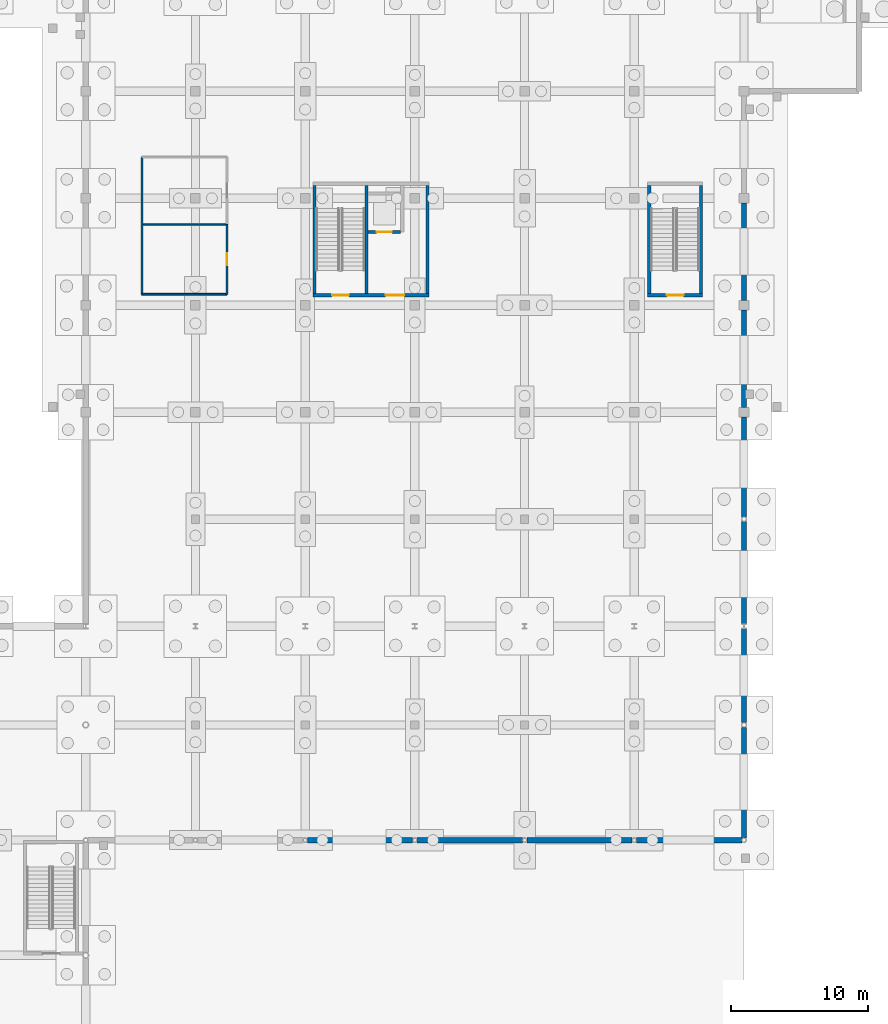
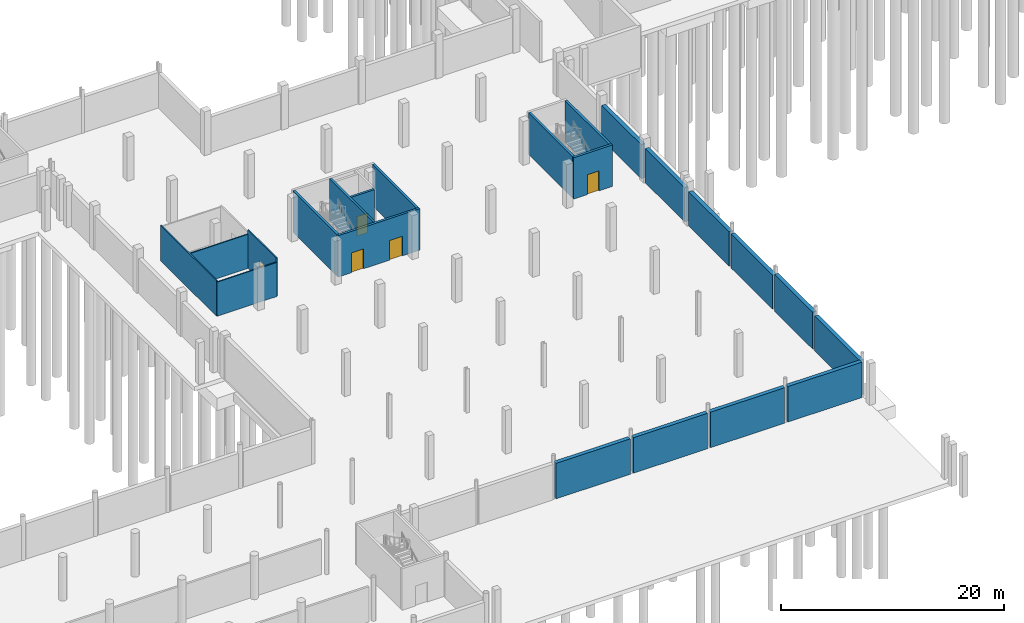
# One storey, part 31 of 44: 22 walls, 5 doors, 5 openings.
"""IFC4 building model written with IfcOpenShell, lengths in metres."""

from ifc_helpers import new_model, si_unit, direction, frame, frame_2d, origin, place, context, subcontext, project, spatial, rectangle, extrude, material, layer, layer_set, type_object, element, fill, save


model = new_model("IFC4")

# Units and contexts
model_context = context("Model", 3, precision=1e-05, world=origin(), true_north=direction((0.0, 1.0)))
body_context = subcontext(model_context, "Body", "Model", "MODEL_VIEW")
ifc_project = project(units=[si_unit("LENGTHUNIT", "METRE"), si_unit("AREAUNIT", "SQUARE_METRE"), si_unit("VOLUMEUNIT", "CUBIC_METRE"), si_unit("PLANEANGLEUNIT", "RADIAN"), si_unit("MASSUNIT", "GRAM", prefix="KILO")], contexts=[model_context])

# Site, building, storey
site_placement = place(None, origin())
site = spatial("IfcSite", under=ifc_project, at=site_placement, CompositionType="ELEMENT")
building_placement = place(site_placement, origin())
building = spatial("IfcBuilding", under=site, at=building_placement, Name="Yukiwa Park Conservatory and Herbarium", CompositionType="ELEMENT")
storey_placement = place(building_placement, frame((0.0, 0.0, -4.800048828125)))
storey = spatial("IfcBuildingStorey", under=building, at=storey_placement, Name="B1", CompositionType="ELEMENT", Elevation=-4.800048828125)

# Walls
ifc_material_1 = material(Name="Concrete C40", Category="concrete")
ifc_layer_1 = layer(ifc_material_1, 0.39990234375)
ifc_layer_set_1 = layer_set([ifc_layer_1], Name="Concrete C40")
wall_type_1 = type_object("IfcWallType", Name="WL-B1-RET400", PredefinedType="SOLIDWALL", material=ifc_layer_set_1)
for number, where, z_axis, x_axis, name in (
    (1, (76.16259765625, 15.60009765625, 0.0), (0.0, 0.0, 1.0), (1.0, 0.0, 0.0), "B1 exterior envelope wall 13"),
    (2, (84.16259765625, 15.60009765625, 0.0), (0.0, 0.0, 1.0), (1.0, 0.0, 0.0), "B1 exterior envelope wall 14"),
    (3, (92.16259765625, 15.60009765625, 0.0), (0.0, 0.0, 1.0), (1.0, 0.0, 0.0), "B1 exterior envelope wall 15"),
    (4, (100.16259765625, 15.60009765625, 0.0), (0.0, 0.0, 1.0), (1.0, 0.0, 0.0), "B1 exterior envelope wall 16"),
):
    element("IfcWall", number, at=place(storey_placement, frame(where, z_axis=z_axis, x_axis=x_axis)), inside=storey, type_object=wall_type_1, Name=name, PredefinedType="SOLIDWALL", context=body_context, shape_type="SweptSolid", body=[
        extrude(rectangle(XDim=7.6748046875, YDim=0.39990234375, at=frame_2d((3.83740234375, 0.0))), origin(), (0.0, 0.0, 1.0), 3.89013671875),
    ])
wall_1_placement = place(storey_placement, frame((108.0, 15.762451171875, 0.0), z_axis=(0.0, 0.0, 1.0), x_axis=(0.0, 1.0, 0.0)))
element("IfcWall", 5, at=wall_1_placement, inside=storey, type_object=wall_type_1, Name="B1 exterior envelope wall 17", PredefinedType="SOLIDWALL", context=body_context, shape_type="SweptSolid", body=[
    extrude(rectangle(XDim=8.059814453125, YDim=0.39990234375, at=frame_2d((4.02978515625, 0.0))), origin(), (0.0, 0.0, 1.0), 3.840087890625),
])
wall_2_placement = place(storey_placement, frame((108.0, 24.177734375, 0.0), z_axis=(0.0, 0.0, 1.0), x_axis=(0.0, 1.0, 0.0)))
element("IfcWall", 6, at=wall_2_placement, inside=storey, type_object=wall_type_1, Name="B1 exterior envelope wall 18", PredefinedType="SOLIDWALL", context=body_context, shape_type="SweptSolid", body=[
    extrude(rectangle(XDim=6.84716796875, YDim=0.39990234375, at=frame_2d((3.423583984375, 0.0))), origin(), (0.0, 0.0, 1.0), 4.0400390625),
])
wall_3_placement = place(storey_placement, frame((108.0, 31.375, 0.0), z_axis=(0.0, 0.0, 1.0), x_axis=(0.0, 1.0, 0.0)))
element("IfcWall", 7, at=wall_3_placement, inside=storey, type_object=wall_type_1, Name="B1 exterior envelope wall 19", PredefinedType="SOLIDWALL", context=body_context, shape_type="SweptSolid", body=[
    extrude(rectangle(XDim=7.447265625, YDim=0.39990234375, at=frame_2d((3.7236328125, 0.0))), origin(), (0.0, 0.0, 1.0), 3.739990234375),
])
wall_4_placement = place(storey_placement, frame((108.0, 39.177734375, 0.0), z_axis=(0.0, 0.0, 1.0), x_axis=(0.0, 1.0, 0.0)))
element("IfcWall", 8, at=wall_4_placement, inside=storey, type_object=wall_type_1, Name="B1 exterior envelope wall 20", PredefinedType="SOLIDWALL", context=body_context, shape_type="SweptSolid", body=[
    extrude(rectangle(XDim=7.272216796875, YDim=0.39990234375, at=frame_2d((3.63623046875, 0.0))), origin(), (0.0, 0.0, 1.0), 3.739990234375),
])
for number, where, z_axis, x_axis, name in (
    (9, (108.0, 47.14990234375, 0.0), (0.0, 0.0, 1.0), (0.0, 1.0, 0.0), "B1 exterior envelope wall 21"),
    (10, (108.0, 54.949951171875, 0.0), (0.0, 0.0, 1.0), (0.0, 1.0, 0.0), "B1 exterior envelope wall 22"),
):
    element("IfcWall", number, at=place(storey_placement, frame(where, z_axis=z_axis, x_axis=x_axis)), inside=storey, type_object=wall_type_1, Name=name, PredefinedType="SOLIDWALL", context=body_context, shape_type="SweptSolid", body=[
        extrude(rectangle(XDim=7.10009765625, YDim=0.39990234375, at=frame_2d((3.550048828125, 0.0))), origin(), (0.0, 0.0, 1.0), 3.739990234375),
    ])
ifc_material_2 = material(Name="Concrete C40", Category="concrete")
ifc_layer_2 = layer(ifc_material_2, 0.219970703125)
ifc_layer_set_2 = layer_set([ifc_layer_2], Name="Concrete C40")
wall_type_2 = type_object("IfcWallType", Name="WL-CORE-RC220", PredefinedType="SHEAR", material=ifc_layer_set_2)
wall_5_placement = place(storey_placement, frame((80.4599609375, 55.449951171875, 0.0), z_axis=(0.0, 0.0, 1.0), x_axis=(0.0, 1.0, 0.0)))
element("IfcWall", 11, at=wall_5_placement, inside=storey, type_object=wall_type_2, Name="B1 core shear wall 27", PredefinedType="SHEAR", context=body_context, shape_type="SweptSolid", body=[
    extrude(rectangle(XDim=7.900146484375, YDim=0.219970703125, at=frame_2d((3.9501953125, 0.0))), origin(), (0.0, 0.0, 1.0), 4.5400390625),
])

# Wall, opening, door
wall_6_placement = place(storey_placement, frame((80.570068359375, 59.93994140625, 0.0), z_axis=(0.0, 0.0, 1.0), x_axis=(1.0, 0.0, 0.0)))
wall_6 = element("IfcWall", 12, at=wall_6_placement, inside=storey, type_object=wall_type_2, Name="B1 core shear wall 29", PredefinedType="SHEAR", context=body_context, shape_type="SweptSolid", body=[
    extrude(rectangle(XDim=2.39990234375, YDim=0.219970703125, at=frame_2d((1.199951171875, 0.0))), origin(), (0.0, 0.0, 1.0), 4.5400390625),
])
opening_1_placement = place(wall_6_placement, frame((0.64990234375, 0.0, 0.0)))
opening_1 = element("IfcOpeningElement", 13, at=opening_1_placement, cuts=wall_6, Name="Opening LD-01", PredefinedType="OPENING", context=body_context, shape_type="SweptSolid", body=[
    extrude(rectangle(XDim=1.10009765625, YDim=2.14990234375, at=frame_2d((0.550048828125, 1.074951171875))), frame((0.0, 0.1201171875, 0.0), z_axis=(0.0, -1.0, 0.0), x_axis=(1.0, 0.0, 0.0)), (0.0, 0.0, 1.0), 0.239990234375),
])
ifc_material_3 = material(Name="Steel Q235B", Category="steel")
door_type_1 = type_object("IfcDoorType", Name="DR-LIFT-LD1100", OperationType="SLIDING_TO_LEFT", PredefinedType="DOOR", material=ifc_material_3)
door_1_placement = place(opening_1_placement, origin())
door_1 = element("IfcDoor", 14, at=door_1_placement, inside=storey, type_object=door_type_1, Name="B1 Visitor Accessible Lift VL1 sliding landing door", OperationType="SLIDING_TO_LEFT", OverallHeight=2.14990234375, OverallWidth=1.10009765625, PredefinedType="DOOR", context=body_context, shape_type="SweptSolid", body=[
    extrude(rectangle(XDim=1.10009765625, YDim=2.14990234375, at=frame_2d((0.550048828125, 1.074951171875))), frame((0.0, 0.02490234375, 0.0), z_axis=(0.0, -1.0, 0.0), x_axis=(1.0, 0.0, 0.0)), (0.0, 0.0, 1.0), 0.050048828125),
])
fill(opening_1, door_1)

# Wall, openings, doors
ifc_material_4 = material(Name="Concrete C50", Category="concrete")
ifc_layer_3 = layer(ifc_material_4, 0.239990234375)
ifc_layer_set_3 = layer_set([ifc_layer_3], Name="Concrete C50")
wall_type_3 = type_object("IfcWallType", Name="WL-CORE-RC240", PredefinedType="SHEAR", material=ifc_layer_set_3)
wall_7_placement = place(storey_placement, frame((76.56005859375, 55.330078125, 0.0), z_axis=(0.0, 0.0, 1.0), x_axis=(1.0, 0.0, 0.0)))
wall_7 = element("IfcWall", 15, at=wall_7_placement, inside=storey, type_object=wall_type_3, Name="B1 core shear wall 24", PredefinedType="SHEAR", context=body_context, shape_type="SweptSolid", body=[
    extrude(rectangle(XDim=8.47998046875, YDim=0.239990234375, at=frame_2d((4.239990234375, 0.0))), origin(), (0.0, 0.0, 1.0), 4.5400390625),
])
opening_2_placement = place(wall_7_placement, frame((1.39990234375, 0.0, 0.0)))
opening_2 = element("IfcOpeningElement", 16, at=opening_2_placement, cuts=wall_7, Name="Opening SD-01", PredefinedType="OPENING", context=body_context, shape_type="SweptSolid", body=[
    extrude(rectangle(XDim=1.219970703125, YDim=2.179931640625, at=frame_2d((0.60986328125, 1.08984375))), frame((0.0, 0.1298828125, 0.0), z_axis=(0.0, -1.0, 0.0), x_axis=(1.0, 0.0, 0.0)), (0.0, 0.0, 1.0), 0.260009765625),
])
opening_3_placement = place(wall_7_placement, frame((5.300048828125, 0.0, 0.0)))
opening_3 = element("IfcOpeningElement", 17, at=opening_3_placement, cuts=wall_7, Name="Opening FD-06", PredefinedType="OPENING", context=body_context, shape_type="SweptSolid", body=[
    extrude(rectangle(XDim=1.3798828125, YDim=2.14990234375, at=frame_2d((0.68994140625, 1.074951171875))), frame((0.0, 0.1298828125, 0.0), z_axis=(0.0, -1.0, 0.0), x_axis=(1.0, 0.0, 0.0)), (0.0, 0.0, 1.0), 0.260009765625),
])
ifc_material_5 = material(Name="Steel Q235B", Category="steel")
door_type_2 = type_object("IfcDoorType", Name="DR-FIRE-FD60-1400", OperationType="DOUBLE_DOOR_SINGLE_SWING", PredefinedType="DOOR", material=ifc_material_5)
door_2_placement = place(opening_3_placement, frame((1.3798828125, 0.0, 0.0), z_axis=(0.0, 0.0, 1.0), x_axis=(-1.0, 0.0, 0.0)))
door_2 = element("IfcDoor", 18, at=door_2_placement, inside=storey, type_object=door_type_2, Name="B1 Visitor Lift Lobby double fire door", OperationType="DOUBLE_DOOR_SINGLE_SWING", OverallHeight=2.14990234375, OverallWidth=1.3798828125, PredefinedType="DOOR", context=body_context, shape_type="SweptSolid", body=[
    extrude(rectangle(XDim=1.3798828125, YDim=2.14990234375, at=frame_2d((0.68994140625, 1.074951171875))), frame((0.0, 0.02490234375, 0.0), z_axis=(0.0, -1.0, 0.0), x_axis=(1.0, 0.0, 0.0)), (0.0, 0.0, 1.0), 0.050048828125),
])
fill(opening_3, door_2)
ifc_material_6 = material(Name="Steel Q235B", Category="steel")
door_type_3 = type_object("IfcDoorType", Name="DR-STAIR-FD90-1200", OperationType="SINGLE_SWING_LEFT", PredefinedType="DOOR", material=ifc_material_6)
door_3_placement = place(opening_2_placement, origin())
door_3 = element("IfcDoor", 19, at=door_3_placement, inside=storey, type_object=door_type_3, Name="B1 Stairwell ST-V1 fire door", OperationType="SINGLE_SWING_LEFT", OverallHeight=2.179931640625, OverallWidth=1.219970703125, PredefinedType="DOOR", context=body_context, shape_type="SweptSolid", body=[
    extrude(rectangle(XDim=1.219970703125, YDim=2.179931640625, at=frame_2d((0.60986328125, 1.08984375))), frame((0.0, 0.02490234375, 0.0), z_axis=(0.0, -1.0, 0.0), x_axis=(1.0, 0.0, 0.0)), (0.0, 0.0, 1.0), 0.050048828125),
])
fill(opening_2, door_3)

# Walls
for number, where, z_axis, x_axis, name in (
    (20, (76.679931640625, 55.449951171875, 0.0), (0.0, 0.0, 1.0), (0.0, 1.0, 0.0), "B1 core shear wall 26"),
    (21, (84.919921875, 55.449951171875, 0.0), (0.0, 0.0, 1.0), (0.0, 1.0, 0.0), "B1 core shear wall 28"),
):
    element("IfcWall", number, at=place(storey_placement, frame(where, z_axis=z_axis, x_axis=x_axis)), inside=storey, type_object=wall_type_3, Name=name, PredefinedType="SHEAR", context=body_context, shape_type="SweptSolid", body=[
        extrude(rectangle(XDim=7.900146484375, YDim=0.239990234375, at=frame_2d((3.9501953125, 0.0))), origin(), (0.0, 0.0, 1.0), 4.5400390625),
    ])

# Wall, opening, door
wall_8_placement = place(storey_placement, frame((100.9599609375, 55.330078125, 0.0), z_axis=(0.0, 0.0, 1.0), x_axis=(1.0, 0.0, 0.0)))
wall_8 = element("IfcWall", 22, at=wall_8_placement, inside=storey, type_object=wall_type_3, Name="B1 core shear wall 44", PredefinedType="SHEAR", context=body_context, shape_type="SweptSolid", body=[
    extrude(rectangle(XDim=4.030029296875, YDim=0.239990234375, at=frame_2d((2.01513671875, 0.0))), origin(), (0.0, 0.0, 1.0), 4.5400390625),
])
opening_4_placement = place(wall_8_placement, frame((1.4150390625, 0.0, 0.0)))
opening_4 = element("IfcOpeningElement", 23, at=opening_4_placement, cuts=wall_8, Name="Opening SD-01", PredefinedType="OPENING", context=body_context, shape_type="SweptSolid", body=[
    extrude(rectangle(XDim=1.219970703125, YDim=2.179931640625, at=frame_2d((0.60986328125, 1.08984375))), frame((0.0, 0.1298828125, 0.0), z_axis=(0.0, -1.0, 0.0), x_axis=(1.0, 0.0, 0.0)), (0.0, 0.0, 1.0), 0.260009765625),
])
door_4_placement = place(opening_4_placement, origin())
door_4 = element("IfcDoor", 24, at=door_4_placement, inside=storey, type_object=door_type_3, Name="B1 Stairwell ST-V2 fire door", OperationType="SINGLE_SWING_LEFT", OverallHeight=2.179931640625, OverallWidth=1.219970703125, PredefinedType="DOOR", context=body_context, shape_type="SweptSolid", body=[
    extrude(rectangle(XDim=1.219970703125, YDim=2.179931640625, at=frame_2d((0.60986328125, 1.08984375))), frame((0.0, 0.02490234375, 0.0), z_axis=(0.0, -1.0, 0.0), x_axis=(1.0, 0.0, 0.0)), (0.0, 0.0, 1.0), 0.050048828125),
])
fill(opening_4, door_4)

# Walls
for number, where, z_axis, x_axis, name in (
    (25, (101.080078125, 55.449951171875, 0.0), (0.0, 0.0, 1.0), (0.0, 1.0, 0.0), "B1 core shear wall 46"),
    (26, (104.8701171875, 55.449951171875, 0.0), (0.0, 0.0, 1.0), (0.0, 1.0, 0.0), "B1 core shear wall 47"),
):
    element("IfcWall", number, at=place(storey_placement, frame(where, z_axis=z_axis, x_axis=x_axis)), inside=storey, type_object=wall_type_3, Name=name, PredefinedType="SHEAR", context=body_context, shape_type="SweptSolid", body=[
        extrude(rectangle(XDim=7.900146484375, YDim=0.239990234375, at=frame_2d((3.9501953125, 0.0))), origin(), (0.0, 0.0, 1.0), 4.5400390625),
    ])

# Wall, opening, door
ifc_material_7 = material(Name="Gypsum Board Partition", Category="gypsum")
ifc_layer_4 = layer(ifc_material_7, 0.1201171875)
ifc_layer_set_4 = layer_set([ifc_layer_4], Name="Gypsum Board Partition")
wall_type_4 = type_object("IfcWallType", Name="WL-PART-WET-150", PredefinedType="PARTITIONING", material=ifc_layer_set_4)
wall_9_placement = place(storey_placement, frame((70.300048828125, 55.39990234375, 0.0), z_axis=(0.0, 0.0, 1.0), x_axis=(0.0, 1.0, 0.0)))
wall_9 = element("IfcWall", 27, at=wall_9_placement, inside=storey, type_object=wall_type_4, Name="B1 interior partition wall 64", PredefinedType="PARTITIONING", context=body_context, shape_type="SweptSolid", body=[
    extrude(rectangle(XDim=5.10009765625, YDim=0.1201171875, at=frame_2d((2.550048828125, 0.0))), origin(), (0.0, 0.0, 1.0), 4.194091796875),
])
opening_5_placement = place(wall_9_placement, frame((2.10009765625, 0.0, 0.0)))
opening_5 = element("IfcOpeningElement", 28, at=opening_5_placement, cuts=wall_9, Name="Opening ID-09", PredefinedType="OPENING", context=body_context, shape_type="SweptSolid", body=[
    extrude(rectangle(XDim=0.89990234375, YDim=2.10009765625, at=frame_2d((0.449951171875, 1.050048828125))), frame((0.0, 0.070068359375, 0.0), z_axis=(0.0, -1.0, 0.0), x_axis=(1.0, 0.0, 0.0)), (0.0, 0.0, 1.0), 0.14013671875),
])
ifc_material_8 = material(Name="Charred Larch Cladding", Category="wood")
door_type_4 = type_object("IfcDoorType", Name="DR-INT-900", OperationType="SINGLE_SWING_LEFT", PredefinedType="DOOR", material=ifc_material_8)
door_5_placement = place(opening_5_placement, origin())
door_5 = element("IfcDoor", 29, at=door_5_placement, inside=storey, type_object=door_type_4, Name="B1 Staff WC door", OperationType="SINGLE_SWING_LEFT", OverallHeight=2.10009765625, OverallWidth=0.89990234375, PredefinedType="DOOR", context=body_context, shape_type="SweptSolid", body=[
    extrude(rectangle(XDim=0.89990234375, YDim=2.10009765625, at=frame_2d((0.449951171875, 1.050048828125))), frame((0.0, 0.02490234375, 0.0), z_axis=(0.0, -1.0, 0.0), x_axis=(1.0, 0.0, 0.0)), (0.0, 0.0, 1.0), 0.050048828125),
])
fill(opening_5, door_5)

# Walls
wall_10_placement = place(storey_placement, frame((64.199951171875, 60.5, 0.0), z_axis=(0.0, 0.0, 1.0), x_axis=(1.0, 0.0, 0.0)))
element("IfcWall", 30, at=wall_10_placement, inside=storey, type_object=wall_type_4, Name="B1 interior partition wall 66", PredefinedType="PARTITIONING", context=body_context, shape_type="SweptSolid", body=[
    extrude(rectangle(XDim=6.10009765625, YDim=0.1201171875, at=frame_2d((3.050048828125, 0.0))), origin(), (0.0, 0.0, 1.0), 3.739990234375),
])
wall_11_placement = place(storey_placement, frame((64.10009765625, 55.39990234375, 0.0), z_axis=(0.0, 0.0, 1.0), x_axis=(0.0, 1.0, 0.0)))
element("IfcWall", 31, at=wall_11_placement, inside=storey, type_object=wall_type_4, Name="B1 interior partition wall 67", PredefinedType="PARTITIONING", context=body_context, shape_type="SweptSolid", body=[
    extrude(rectangle(XDim=10.0, YDim=0.1201171875, at=frame_2d((5.0, 0.0))), origin(), (0.0, 0.0, 1.0), 3.89013671875),
])
wall_12_placement = place(storey_placement, frame((64.10009765625, 55.39990234375, 0.0), z_axis=(0.0, 0.0, 1.0), x_axis=(1.0, 0.0, 0.0)))
element("IfcWall", 32, at=wall_12_placement, inside=storey, type_object=wall_type_4, Name="B1 interior partition wall 68", PredefinedType="PARTITIONING", context=body_context, shape_type="SweptSolid", body=[
    extrude(rectangle(XDim=6.199951171875, YDim=0.1201171875, at=frame_2d((3.10009765625, 0.0))), origin(), (0.0, 0.0, 1.0), 3.739990234375),
])

save(model, "model.ifc")
